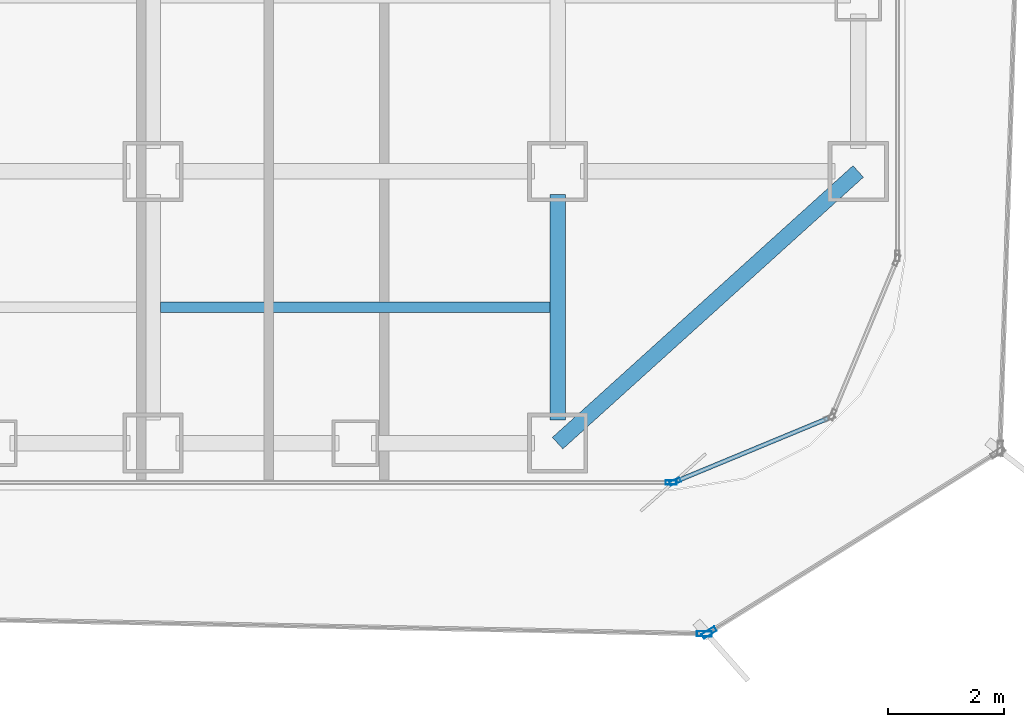
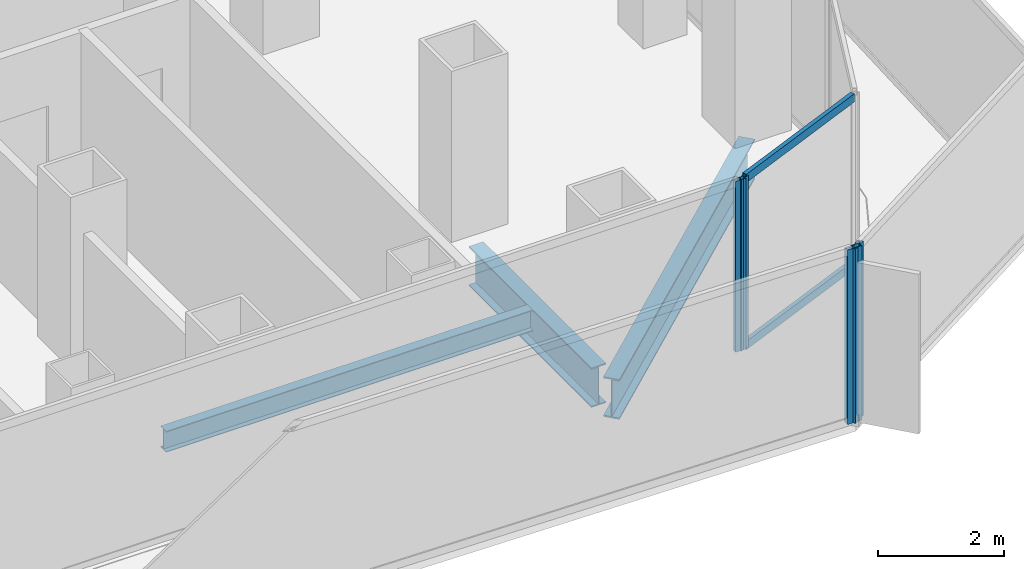
# One storey, part 6 of 22: 6 members, 3 beams, 4 elements without a shape of their own.
"""IFC4 building model written with IfcOpenShell, lengths in metres."""

from ifc_helpers import new_model, si_unit, direction, frame, origin, origin_2d, place, context, subcontext, project, spatial, hollow_rectangle, i_section, extrude, source, transform, mapped, material, layer, layer_set, material_profile, profile_set, type_object, element, aggregate, save


model = new_model("IFC4")

# Units and contexts
model_context = context("Model", 3, precision=1e-05, world=origin(), true_north=direction((0.0, 1.0)))
body_context = subcontext(model_context, "Body", "Model", "MODEL_VIEW")
ifc_project = project(units=[si_unit("LENGTHUNIT", "METRE"), si_unit("AREAUNIT", "SQUARE_METRE"), si_unit("VOLUMEUNIT", "CUBIC_METRE"), si_unit("PLANEANGLEUNIT", "RADIAN"), si_unit("MASSUNIT", "GRAM", prefix="KILO")], contexts=[model_context])

# Site, building, storey
site_placement = place(None, origin())
site = spatial("IfcSite", under=ifc_project, at=site_placement, CompositionType="ELEMENT")
building_placement = place(site_placement, origin())
building = spatial("IfcBuilding", under=site, at=building_placement, Name="Kolveth Station Tower", CompositionType="ELEMENT")
storey_placement = place(building_placement, frame((0.0, 0.0, 51.300048828125)))
storey = spatial("IfcBuildingStorey", under=building, at=storey_placement, Name="L13", CompositionType="ELEMENT", Elevation=51.300048828125)

# Beams
ifc_material_1 = material(Name="Steel S355", Category="steel")
ifc_material_profile_1 = material_profile(ifc_material_1, i_section(OverallWidth=0.26904296875, OverallDepth=0.77490234375, WebThickness=0.01708984375, FlangeThickness=0.0283203125, at=origin_2d()), Name="W760x220")
ifc_profile_set_1 = profile_set([ifc_material_profile_1], Name="Steel S355")
beam_type_1 = type_object("IfcBeamType", Name="Beam_SP1", PredefinedType="SPANDREL", material=ifc_profile_set_1)
shared_shape_1 = source(origin(), body_context, "Body", "SweptSolid", [
    extrude(i_section(OverallWidth=0.26904296875, OverallDepth=0.77490234375, WebThickness=0.01708984375, FlangeThickness=0.0283203125, at=origin_2d()), origin(), (0.0, 0.0, 1.0), 7.00927734375),
])
beam_1_placement = place(storey_placement, frame((41.0, 0.800048828125, -0.66748046875), z_axis=(0.741874009795, 0.670539300557, 0.0), x_axis=(-0.670539300557, 0.741874009795, 0.0)))
element("IfcBeam", 1, at=beam_1_placement, inside=storey, type_object=beam_type_1, Name="L13 Corner Edge Girder BM-L13-CNR-SE", PredefinedType="SPANDREL", context=body_context, shape_type="MappedRepresentation", body=[
    mapped(shared_shape_1, transform((0.0, 0.0, 0.0), x_axis=(1.0, 0.0, 0.0), y_axis=(0.0, 1.0, 0.0), z_axis=(0.0, 0.0, 1.0), scale=1.0)),
])
ifc_material_profile_2 = material_profile(ifc_material_1, i_section(OverallWidth=0.26708984375, OverallDepth=0.76611328125, WebThickness=0.014892578125, FlangeThickness=0.023681640625, at=origin_2d()), Name="W760x185")
ifc_profile_set_2 = profile_set([ifc_material_profile_2], Name="Steel S355")
beam_type_2 = type_object("IfcBeamType", Name="Beam_B3", PredefinedType="BEAM", material=ifc_profile_set_2)
shared_shape_2 = source(origin(), body_context, "Body", "SweptSolid", [
    extrude(i_section(OverallWidth=0.26708984375, OverallDepth=0.76611328125, WebThickness=0.014892578125, FlangeThickness=0.023681640625, at=origin_2d()), origin(), (0.0, 0.0, 1.0), 3.900146484375),
])
beam_2_placement = place(storey_placement, frame((41.0, 1.199951171875, -0.6630859375), z_axis=(0.0, 1.0, 0.0), x_axis=(-1.0, 0.0, 0.0)))
element("IfcBeam", 2, at=beam_2_placement, inside=storey, type_object=beam_type_2, Name="L13 Primary Girder BM-L13-GX410-1", PredefinedType="BEAM", context=body_context, shape_type="MappedRepresentation", body=[
    mapped(shared_shape_2, transform((0.0, 0.0, 0.0), x_axis=(1.0, 0.0, 0.0), y_axis=(0.0, 1.0, 0.0), z_axis=(0.0, 0.0, 1.0), scale=1.0)),
])
ifc_material_profile_3 = material_profile(ifc_material_1, i_section(OverallWidth=0.177978515625, OverallDepth=0.406982421875, WebThickness=0.0078125, FlangeThickness=0.0126953125, at=origin_2d()), Name="W410x60")
ifc_profile_set_3 = profile_set([ifc_material_profile_3], Name="Steel S355")
beam_type_3 = type_object("IfcBeamType", Name="Beam_J1", PredefinedType="JOIST", material=ifc_profile_set_3)
shared_shape_3 = source(origin(), body_context, "Body", "SweptSolid", [
    extrude(i_section(OverallWidth=0.177978515625, OverallDepth=0.406982421875, WebThickness=0.0078125, FlangeThickness=0.0126953125, at=origin_2d()), origin(), (0.0, 0.0, 1.0), 6.73681640625),
])
beam_3_placement = place(storey_placement, frame((34.131591796875, 3.14990234375, -0.483642578125), z_axis=(1.0, 0.0, 0.0), x_axis=(0.0, 1.0, 0.0)))
element("IfcBeam", 3, at=beam_3_placement, inside=storey, type_object=beam_type_3, Name="L13 Secondary Joist JST-L13-6-1", PredefinedType="JOIST", context=body_context, shape_type="MappedRepresentation", body=[
    mapped(shared_shape_3, transform((0.0, 0.0, 0.0), x_axis=(1.0, 0.0, 0.0), y_axis=(0.0, 1.0, 0.0), z_axis=(0.0, 0.0, 1.0), scale=1.0)),
])

# Curtain wall, member
ifc_material_2 = material(Name="Aluminium 6063-T6 and low-E dark glass", Category="aluminium")
ifc_layer_1 = layer(ifc_material_2, 0.179931640625)
ifc_layer_set_1 = layer_set([ifc_layer_1], Name="Aluminium 6063-T6 and low-E dark glass")
curtain_wall_type_1 = type_object("IfcCurtainWallType", Name="CurtainWall_CW-Z1", PredefinedType="NOTDEFINED", material=ifc_layer_set_1)
curtain_wall_1_placement = place(storey_placement, origin())
curtain_wall_1 = element("IfcCurtainWall", 4, at=curtain_wall_1_placement, inside=storey, type_object=curtain_wall_type_1, Name="L13 Inner Thermal Curtain Wall 1", PredefinedType="NOTDEFINED")
ifc_material_3 = material(Name="Black anodized aluminium 6063-T6", Category="aluminium")
ifc_material_profile_4 = material_profile(ifc_material_3, hollow_rectangle(XDim=0.074951171875, YDim=0.18994140625, WallThickness=0.0048828125, at=origin_2d()), Name="ALU-75x190x5")
ifc_profile_set_4 = profile_set([ifc_material_profile_4], Name="Black anodized aluminium 6063-T6")
member_type_1 = type_object("IfcMemberType", Name="Mullion_ML1", PredefinedType="MULLION", material=ifc_profile_set_4)
shared_shape_4 = source(origin(), body_context, "Body", "SweptSolid", [
    extrude(hollow_rectangle(XDim=0.074951171875, YDim=0.18994140625, WallThickness=0.0048828125, at=origin_2d()), origin(), (0.0, 0.0, 1.0), 3.320068359375),
])
member_1_placement = place(storey_placement, frame((43.03466796875, 0.13427734375, 0.0), z_axis=(0.0, 0.0, 1.0), x_axis=(-0.382672990201, 0.923883857728, 0.0)))
member_1 = element("IfcMember", 5, at=member_1_placement, type_object=member_type_1, Name="CW-Z1 mullion 1", PredefinedType="MULLION", context=body_context, shape_type="MappedRepresentation", body=[
    mapped(shared_shape_4, transform((0.0, 0.0, 0.0), x_axis=(1.0, 0.0, 0.0), y_axis=(0.0, 1.0, 0.0), z_axis=(0.0, 0.0, 1.0), scale=1.0)),
])

curtain_wall_2_placement = place(storey_placement, origin())
curtain_wall_2 = element("IfcCurtainWall", 6, at=curtain_wall_2_placement, inside=storey, type_object=curtain_wall_type_1, Name="L13 Inner Thermal Curtain Wall 12", PredefinedType="NOTDEFINED")
member_2_placement = place(storey_placement, frame((42.96240234375, 0.1201171875, 0.0), z_axis=(0.0, 0.0, 1.0), x_axis=(0.0, 1.0, 0.0)))
member_2 = element("IfcMember", 7, at=member_2_placement, type_object=member_type_1, Name="CW-Z1 mullion 3", PredefinedType="MULLION", context=body_context, shape_type="MappedRepresentation", body=[
    mapped(shared_shape_4, transform((0.0, 0.0, 0.0), x_axis=(1.0, 0.0, 0.0), y_axis=(0.0, 1.0, 0.0), z_axis=(0.0, 0.0, 1.0), scale=1.0)),
])
aggregate(curtain_wall_2, [member_2])

# Member
ifc_material_profile_5 = material_profile(ifc_material_3, hollow_rectangle(XDim=0.074951171875, YDim=0.159912109375, WallThickness=0.0048828125, at=origin_2d()), Name="ALU-75x160x5")
ifc_profile_set_5 = profile_set([ifc_material_profile_5], Name="Black anodized aluminium 6063-T6")
member_type_2 = type_object("IfcMemberType", Name="Transom_TR1", PredefinedType="USERDEFINED", material=ifc_profile_set_5)
shared_shape_5 = source(origin(), body_context, "Body", "SweptSolid", [
    extrude(hollow_rectangle(XDim=0.074951171875, YDim=0.159912109375, WallThickness=0.0048828125, at=origin_2d()), origin(), (0.0, 0.0, 1.0), 2.819580078125),
])
member_3_placement = place(storey_placement, frame((43.0693359375, 0.148681640625, 0.037353515625), z_axis=(0.923869084389, 0.382708655389, 0.0), x_axis=(-0.382708655389, 0.923869084389, 0.0)))
member_3 = element("IfcMember", 8, at=member_3_placement, type_object=member_type_2, Name="CW-Z1 transom 1.1", ObjectType="TRANSOM", PredefinedType="USERDEFINED", context=body_context, shape_type="MappedRepresentation", body=[
    mapped(shared_shape_5, transform((0.0, 0.0, 0.0), x_axis=(1.0, 0.0, 0.0), y_axis=(0.0, 1.0, 0.0), z_axis=(0.0, 0.0, 1.0), scale=1.0)),
])

member_4_placement = place(storey_placement, frame((43.0693359375, 0.148681640625, 3.282470703125), z_axis=(0.923869084389, 0.382708655389, 0.0), x_axis=(-0.382708655389, 0.923869084389, 0.0)))
member_4 = element("IfcMember", 9, at=member_4_placement, type_object=member_type_2, Name="CW-Z1 transom 1.2", ObjectType="TRANSOM", PredefinedType="USERDEFINED", context=body_context, shape_type="MappedRepresentation", body=[
    mapped(shared_shape_5, transform((0.0, 0.0, 0.0), x_axis=(1.0, 0.0, 0.0), y_axis=(0.0, 1.0, 0.0), z_axis=(0.0, 0.0, 1.0), scale=1.0)),
])

aggregate(curtain_wall_1, [member_1, member_3, member_4])

# Curtain wall, member
ifc_material_4 = material(Name="Black anodized aluminium 6063-T6 and dark solar glass", Category="aluminium")
ifc_layer_2 = layer(ifc_material_4, 0.159912109375)
ifc_layer_set_2 = layer_set([ifc_layer_2], Name="Black anodized aluminium 6063-T6 and dark solar glass")
curtain_wall_type_2 = type_object("IfcCurtainWallType", Name="OUTER SKIN CW-OS", PredefinedType="NOTDEFINED", material=ifc_layer_set_2)
curtain_wall_3_placement = place(storey_placement, origin())
curtain_wall_3 = element("IfcCurtainWall", 10, at=curtain_wall_3_placement, inside=storey, type_object=curtain_wall_type_2, Name="L13 Outer Ventilated Skin Curtain Wall 1", PredefinedType="NOTDEFINED")
ifc_material_profile_6 = material_profile(ifc_material_3, hollow_rectangle(XDim=0.090087890625, YDim=0.260009765625, WallThickness=0.0048828125, at=origin_2d()), Name="ALU-90x260x5")
ifc_profile_set_6 = profile_set([ifc_material_profile_6], Name="Black anodized aluminium 6063-T6")
member_type_3 = type_object("IfcMemberType", Name="FIN MULLION ML-OS", PredefinedType="MULLION", material=ifc_profile_set_6)
shared_shape_6 = source(origin(), body_context, "Body", "SweptSolid", [
    extrude(hollow_rectangle(XDim=0.090087890625, YDim=0.260009765625, WallThickness=0.0048828125, at=origin_2d()), origin(), (0.0, 0.0, 1.0), 3.389892578125),
])
member_5_placement = place(storey_placement, frame((43.62060546875, -2.4755859375, 0.0), z_axis=(0.0, 0.0, 1.0), x_axis=(-0.529185183042, 0.848506359463, 0.0)))
member_5 = element("IfcMember", 11, at=member_5_placement, type_object=member_type_3, Name="CW-OS mullion 1", PredefinedType="MULLION", context=body_context, shape_type="MappedRepresentation", body=[
    mapped(shared_shape_6, transform((0.0, 0.0, 0.0), x_axis=(1.0, 0.0, 0.0), y_axis=(0.0, 1.0, 0.0), z_axis=(0.0, 0.0, 1.0), scale=1.0)),
])
aggregate(curtain_wall_3, [member_5])

curtain_wall_4_placement = place(storey_placement, origin())
curtain_wall_4 = element("IfcCurtainWall", 12, at=curtain_wall_4_placement, inside=storey, type_object=curtain_wall_type_2, Name="L13 Outer Ventilated Skin Curtain Wall 8", PredefinedType="NOTDEFINED")
member_6_placement = place(storey_placement, frame((43.537353515625, -2.49853515625, 0.0), z_axis=(0.0, 0.0, 1.0), x_axis=(0.019382765192, 0.99981213656, 0.0)))
member_6 = element("IfcMember", 13, at=member_6_placement, type_object=member_type_3, Name="CW-OS mullion 2", PredefinedType="MULLION", context=body_context, shape_type="MappedRepresentation", body=[
    mapped(shared_shape_6, transform((0.0, 0.0, 0.0), x_axis=(1.0, 0.0, 0.0), y_axis=(0.0, 1.0, 0.0), z_axis=(0.0, 0.0, 1.0), scale=1.0)),
])
aggregate(curtain_wall_4, [member_6])

save(model, "model.ifc")
